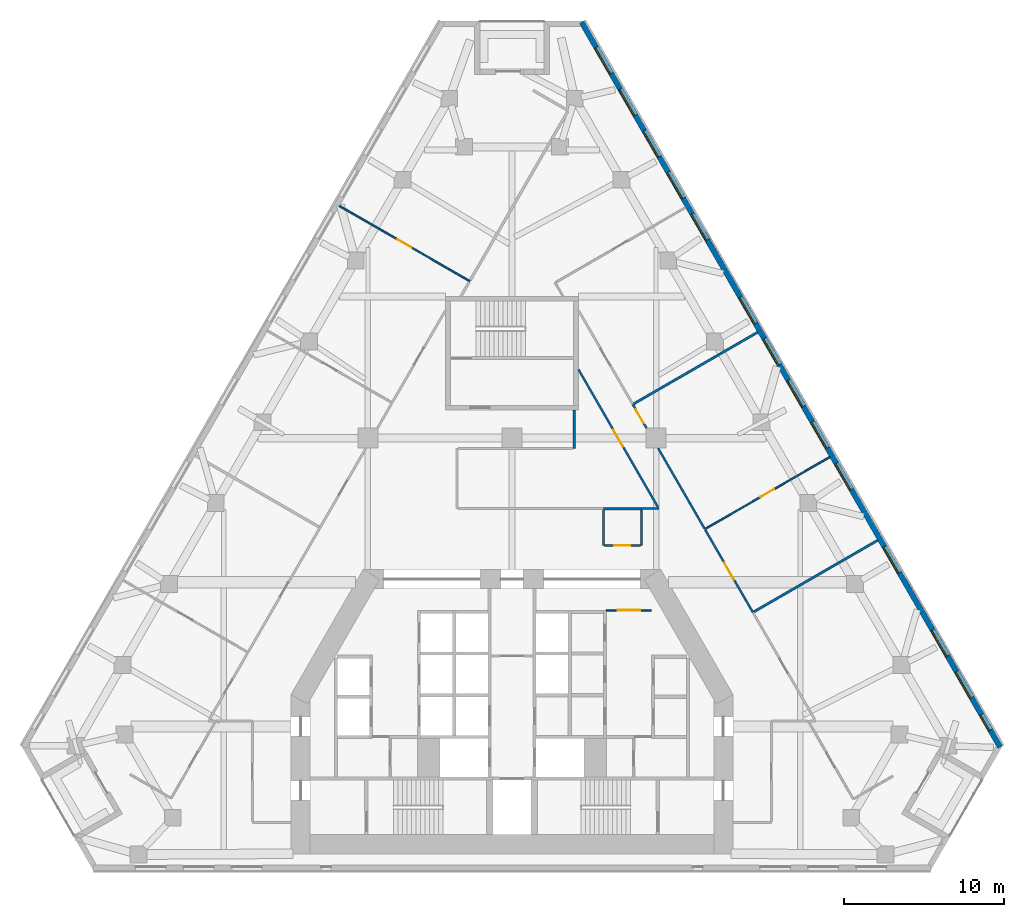
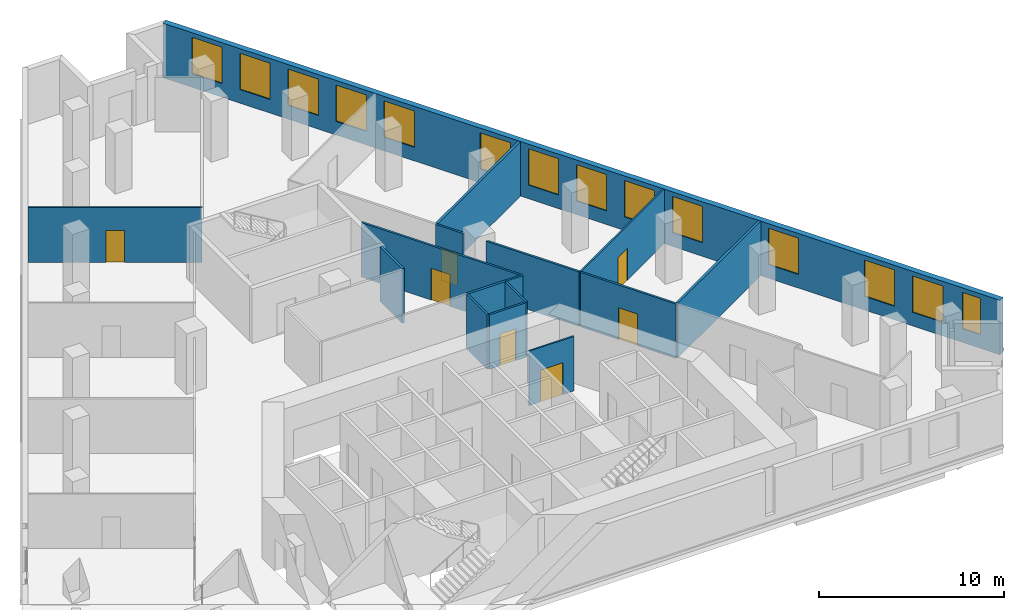
# One storey, part 7 of 9: 16 walls, 14 windows, 7 doors, 21 openings.
"""IFC4 building model written with IfcOpenShell, lengths in metres."""

from ifc_helpers import new_model, si_unit, direction, frame, frame_2d, origin, place, context, subcontext, project, spatial, rectangle, extrude, material, layer, layer_set, type_object, element, fill, save


model = new_model("IFC4")

# Units and contexts
model_context = context("Model", 3, precision=1e-05, world=origin(), true_north=direction((0.0, 1.0)))
body_context = subcontext(model_context, "Body", "Model", "MODEL_VIEW")
ifc_project = project(units=[si_unit("LENGTHUNIT", "METRE"), si_unit("AREAUNIT", "SQUARE_METRE"), si_unit("VOLUMEUNIT", "CUBIC_METRE"), si_unit("PLANEANGLEUNIT", "RADIAN"), si_unit("MASSUNIT", "GRAM", prefix="KILO")], contexts=[model_context])

# Site, building, storey
site_placement = place(None, origin())
site = spatial("IfcSite", under=ifc_project, at=site_placement, CompositionType="ELEMENT")
building_placement = place(site_placement, origin())
building = spatial("IfcBuilding", under=site, at=building_placement, Name="Fogline Exchange Tower", CompositionType="ELEMENT")
storey_placement = place(building_placement, frame((0.0, 0.0, 100.10009765625)))
storey = spatial("IfcBuildingStorey", under=building, at=storey_placement, Name="L21", CompositionType="ELEMENT", Elevation=100.10009765625)

# Wall, opening, door
ifc_material_1 = material(Name="Blockwork partition", Category="masonry")
ifc_layer_1 = layer(ifc_material_1, 0.10009765625)
ifc_layer_set_1 = layer_set([ifc_layer_1], Name="CW10")
wall_type_1 = type_object("IfcWallType", Name="CW10", PredefinedType="PARTITIONING", material=ifc_layer_set_1)
wall_1_placement = place(storey_placement, frame((5.89990234375, 16.25, 0.0), z_axis=(0.0, 0.0, 1.0), x_axis=(1.0, 0.0, 0.0)))
wall_1 = element("IfcWall", 1, at=wall_1_placement, inside=storey, type_object=wall_type_1, Name="Lift lobby partition", PredefinedType="PARTITIONING", context=body_context, shape_type="SweptSolid", body=[
    extrude(rectangle(XDim=2.800048828125, YDim=0.10009765625, at=frame_2d((1.39990234375, 0.0))), origin(), (0.0, 0.0, 1.0), 3.599853515625),
])
opening_1_placement = place(wall_1_placement, frame((0.699951171875, 0.0, 0.0)))
opening_1 = element("IfcOpeningElement", 2, at=opening_1_placement, cuts=wall_1, Name="Opening T06-C012", PredefinedType="OPENING", context=body_context, shape_type="SweptSolid", body=[
    extrude(rectangle(XDim=1.39990234375, YDim=2.10009765625, at=frame_2d((0.699951171875, 1.050048828125))), frame((0.0, 0.06005859375, 0.0), z_axis=(0.0, -1.0, 0.0), x_axis=(1.0, 0.0, 0.0)), (0.0, 0.0, 1.0), 0.1201171875),
])
ifc_material_2 = material(Name="Steel and timber fire door", Category="steel")
door_type_1 = type_object("IfcDoorType", Name="D-LB1", OperationType="DOUBLE_DOOR_SINGLE_SWING", PredefinedType="DOOR", material=ifc_material_2)
door_1_placement = place(opening_1_placement, origin())
door_1 = element("IfcDoor", 3, at=door_1_placement, inside=storey, type_object=door_type_1, Name="Door to lift lobby", OperationType="DOUBLE_DOOR_SINGLE_SWING", OverallHeight=2.10009765625, OverallWidth=1.39990234375, PredefinedType="DOOR", context=body_context, shape_type="SweptSolid", body=[
    extrude(rectangle(XDim=1.39990234375, YDim=2.10009765625, at=frame_2d((0.699951171875, 1.050048828125))), frame((0.0, 0.02490234375, 0.0), z_axis=(0.0, -1.0, 0.0), x_axis=(1.0, 0.0, 0.0)), (0.0, 0.0, 1.0), 0.050048828125),
])
fill(opening_1, door_1)

# Wall, openings, windows
ifc_material_3 = material(Name="Brick masonry", Category="masonry")
ifc_layer_2 = layer(ifc_material_3, 0.340087890625)
ifc_layer_set_2 = layer_set([ifc_layer_2], Name="FW1")
wall_type_2 = type_object("IfcWallType", Name="FW1", PredefinedType="SOLIDWALL", material=ifc_layer_set_2)
wall_2_placement = place(storey_placement, frame((30.49072265625, 7.709228515625, 0.0), z_axis=(0.0, 0.0, 1.0), x_axis=(-0.499998162791, 0.866026464495, 0.0)))
wall_2 = element("IfcWall", 4, at=wall_2_placement, inside=storey, type_object=wall_type_2, Name="Brick wall L21 E", PredefinedType="SOLIDWALL", context=body_context, shape_type="SweptSolid", body=[
    extrude(rectangle(XDim=52.276123046875, YDim=0.340087890625, at=frame_2d((26.13818359375, 0.0))), origin(), (0.0, 0.0, 1.0), 3.599853515625),
])
opening_2_placement = place(wall_2_placement, frame((3.569091796875, 0.0, 0.89990234375)))
opening_2 = element("IfcOpeningElement", 5, at=opening_2_placement, cuts=wall_2, Name="Opening W1", PredefinedType="OPENING", context=body_context, shape_type="SweptSolid", body=[
    extrude(rectangle(XDim=1.885009765625, YDim=2.39990234375, at=frame_2d((0.9423828125, 1.199951171875))), frame((0.0, 0.18017578125, 0.0), z_axis=(0.0, -1.0, 0.0), x_axis=(1.0, 0.0, 0.0)), (0.0, 0.0, 1.0), 0.360107421875),
])
opening_3_placement = place(wall_2_placement, frame((6.569091796875, 0.0, 0.89990234375)))
opening_3 = element("IfcOpeningElement", 6, at=opening_3_placement, cuts=wall_2, Name="Opening W1", PredefinedType="OPENING", context=body_context, shape_type="SweptSolid", body=[
    extrude(rectangle(XDim=1.885009765625, YDim=2.39990234375, at=frame_2d((0.9423828125, 1.199951171875))), frame((0.0, 0.18017578125, 0.0), z_axis=(0.0, -1.0, 0.0), x_axis=(1.0, 0.0, 0.0)), (0.0, 0.0, 1.0), 0.360107421875),
])
opening_4_placement = place(wall_2_placement, frame((12.569091796875, 0.0, 0.89990234375)))
opening_4 = element("IfcOpeningElement", 7, at=opening_4_placement, cuts=wall_2, Name="Opening W1", PredefinedType="OPENING", context=body_context, shape_type="SweptSolid", body=[
    extrude(rectangle(XDim=1.885009765625, YDim=2.39990234375, at=frame_2d((0.9423828125, 1.199951171875))), frame((0.0, 0.18017578125, 0.0), z_axis=(0.0, -1.0, 0.0), x_axis=(1.0, 0.0, 0.0)), (0.0, 0.0, 1.0), 0.360107421875),
])
opening_5_placement = place(wall_2_placement, frame((18.569091796875, 0.0, 0.89990234375)))
opening_5 = element("IfcOpeningElement", 8, at=opening_5_placement, cuts=wall_2, Name="Opening W1", PredefinedType="OPENING", context=body_context, shape_type="SweptSolid", body=[
    extrude(rectangle(XDim=1.885009765625, YDim=2.39990234375, at=frame_2d((0.9423828125, 1.199951171875))), frame((0.0, 0.18017578125, 0.0), z_axis=(0.0, -1.0, 0.0), x_axis=(1.0, 0.0, 0.0)), (0.0, 0.0, 1.0), 0.360107421875),
])
opening_6_placement = place(wall_2_placement, frame((21.569091796875, 0.0, 0.89990234375)))
opening_6 = element("IfcOpeningElement", 9, at=opening_6_placement, cuts=wall_2, Name="Opening W1", PredefinedType="OPENING", context=body_context, shape_type="SweptSolid", body=[
    extrude(rectangle(XDim=1.885009765625, YDim=2.39990234375, at=frame_2d((0.9423828125, 1.199951171875))), frame((0.0, 0.18017578125, 0.0), z_axis=(0.0, -1.0, 0.0), x_axis=(1.0, 0.0, 0.0)), (0.0, 0.0, 1.0), 0.360107421875),
])
opening_7_placement = place(wall_2_placement, frame((24.569091796875, 0.0, 0.89990234375)))
opening_7 = element("IfcOpeningElement", 10, at=opening_7_placement, cuts=wall_2, Name="Opening W1", PredefinedType="OPENING", context=body_context, shape_type="SweptSolid", body=[
    extrude(rectangle(XDim=1.885009765625, YDim=2.39990234375, at=frame_2d((0.9423828125, 1.199951171875))), frame((0.0, 0.18017578125, 0.0), z_axis=(0.0, -1.0, 0.0), x_axis=(1.0, 0.0, 0.0)), (0.0, 0.0, 1.0), 0.360107421875),
])
opening_8_placement = place(wall_2_placement, frame((27.569091796875, 0.0, 0.89990234375)))
opening_8 = element("IfcOpeningElement", 11, at=opening_8_placement, cuts=wall_2, Name="Opening W1", PredefinedType="OPENING", context=body_context, shape_type="SweptSolid", body=[
    extrude(rectangle(XDim=1.885009765625, YDim=2.39990234375, at=frame_2d((0.9423828125, 1.199951171875))), frame((0.0, 0.18017578125, 0.0), z_axis=(0.0, -1.0, 0.0), x_axis=(1.0, 0.0, 0.0)), (0.0, 0.0, 1.0), 0.360107421875),
])
opening_9_placement = place(wall_2_placement, frame((30.569091796875, 0.0, 0.89990234375)))
opening_9 = element("IfcOpeningElement", 12, at=opening_9_placement, cuts=wall_2, Name="Opening W1", PredefinedType="OPENING", context=body_context, shape_type="SweptSolid", body=[
    extrude(rectangle(XDim=1.885009765625, YDim=2.39990234375, at=frame_2d((0.9423828125, 1.199951171875))), frame((0.0, 0.18017578125, 0.0), z_axis=(0.0, -1.0, 0.0), x_axis=(1.0, 0.0, 0.0)), (0.0, 0.0, 1.0), 0.360107421875),
])
opening_10_placement = place(wall_2_placement, frame((36.569091796875, 0.0, 0.89990234375)))
opening_10 = element("IfcOpeningElement", 13, at=opening_10_placement, cuts=wall_2, Name="Opening W1", PredefinedType="OPENING", context=body_context, shape_type="SweptSolid", body=[
    extrude(rectangle(XDim=1.885009765625, YDim=2.39990234375, at=frame_2d((0.9423828125, 1.199951171875))), frame((0.0, 0.18017578125, 0.0), z_axis=(0.0, -1.0, 0.0), x_axis=(1.0, 0.0, 0.0)), (0.0, 0.0, 1.0), 0.360107421875),
])
opening_11_placement = place(wall_2_placement, frame((39.569091796875, 0.0, 0.89990234375)))
opening_11 = element("IfcOpeningElement", 14, at=opening_11_placement, cuts=wall_2, Name="Opening W1", PredefinedType="OPENING", context=body_context, shape_type="SweptSolid", body=[
    extrude(rectangle(XDim=1.885009765625, YDim=2.39990234375, at=frame_2d((0.9423828125, 1.199951171875))), frame((0.0, 0.18017578125, 0.0), z_axis=(0.0, -1.0, 0.0), x_axis=(1.0, 0.0, 0.0)), (0.0, 0.0, 1.0), 0.360107421875),
])
opening_12_placement = place(wall_2_placement, frame((42.569091796875, 0.0, 0.89990234375)))
opening_12 = element("IfcOpeningElement", 15, at=opening_12_placement, cuts=wall_2, Name="Opening W1", PredefinedType="OPENING", context=body_context, shape_type="SweptSolid", body=[
    extrude(rectangle(XDim=1.885009765625, YDim=2.39990234375, at=frame_2d((0.9423828125, 1.199951171875))), frame((0.0, 0.18017578125, 0.0), z_axis=(0.0, -1.0, 0.0), x_axis=(1.0, 0.0, 0.0)), (0.0, 0.0, 1.0), 0.360107421875),
])
opening_13_placement = place(wall_2_placement, frame((45.569091796875, 0.0, 0.89990234375)))
opening_13 = element("IfcOpeningElement", 16, at=opening_13_placement, cuts=wall_2, Name="Opening W1", PredefinedType="OPENING", context=body_context, shape_type="SweptSolid", body=[
    extrude(rectangle(XDim=1.885009765625, YDim=2.39990234375, at=frame_2d((0.9423828125, 1.199951171875))), frame((0.0, 0.18017578125, 0.0), z_axis=(0.0, -1.0, 0.0), x_axis=(1.0, 0.0, 0.0)), (0.0, 0.0, 1.0), 0.360107421875),
])
opening_14_placement = place(wall_2_placement, frame((48.569091796875, 0.0, 0.89990234375)))
opening_14 = element("IfcOpeningElement", 17, at=opening_14_placement, cuts=wall_2, Name="Opening W1", PredefinedType="OPENING", context=body_context, shape_type="SweptSolid", body=[
    extrude(rectangle(XDim=1.885009765625, YDim=2.39990234375, at=frame_2d((0.9423828125, 1.199951171875))), frame((0.0, 0.18017578125, 0.0), z_axis=(0.0, -1.0, 0.0), x_axis=(1.0, 0.0, 0.0)), (0.0, 0.0, 1.0), 0.360107421875),
])
opening_15_placement = place(wall_2_placement, frame((1.22705078125, 0.0, 0.89990234375)))
opening_15 = element("IfcOpeningElement", 18, at=opening_15_placement, cuts=wall_2, Name="Opening W4", PredefinedType="OPENING", context=body_context, shape_type="SweptSolid", body=[
    extrude(rectangle(XDim=1.114990234375, YDim=2.39990234375, at=frame_2d((0.5576171875, 1.199951171875))), frame((0.0, 0.18017578125, 0.0), z_axis=(0.0, -1.0, 0.0), x_axis=(1.0, 0.0, 0.0)), (0.0, 0.0, 1.0), 0.360107421875),
])
ifc_material_4 = material(Name="Aluminium and glass", Category="aluminium")
window_type_1 = type_object("IfcWindowType", Name="W1", PartitioningType="SINGLE_PANEL", PredefinedType="WINDOW", material=ifc_material_4)
window_1_placement = place(opening_2_placement, origin())
window_1 = element("IfcWindow", 19, at=window_1_placement, inside=storey, type_object=window_type_1, Name="W1 W1", OverallHeight=2.39990234375, OverallWidth=1.885009765625, PartitioningType="SINGLE_PANEL", PredefinedType="WINDOW", context=body_context, shape_type="SweptSolid", body=[
    extrude(rectangle(XDim=1.885009765625, YDim=2.39990234375, at=frame_2d((0.9423828125, 1.199951171875))), frame((0.0, 0.110107421875, 0.0), z_axis=(0.0, -1.0, 0.0), x_axis=(1.0, 0.0, 0.0)), (0.0, 0.0, 1.0), 0.06005859375),
])
fill(opening_2, window_1)
window_2_placement = place(opening_3_placement, origin())
window_2 = element("IfcWindow", 20, at=window_2_placement, inside=storey, type_object=window_type_1, Name="W1 W1", OverallHeight=2.39990234375, OverallWidth=1.885009765625, PartitioningType="SINGLE_PANEL", PredefinedType="WINDOW", context=body_context, shape_type="SweptSolid", body=[
    extrude(rectangle(XDim=1.885009765625, YDim=2.39990234375, at=frame_2d((0.9423828125, 1.199951171875))), frame((0.0, 0.110107421875, 0.0), z_axis=(0.0, -1.0, 0.0), x_axis=(1.0, 0.0, 0.0)), (0.0, 0.0, 1.0), 0.06005859375),
])
fill(opening_3, window_2)
window_3_placement = place(opening_4_placement, origin())
window_3 = element("IfcWindow", 21, at=window_3_placement, inside=storey, type_object=window_type_1, Name="W1 W1", OverallHeight=2.39990234375, OverallWidth=1.885009765625, PartitioningType="SINGLE_PANEL", PredefinedType="WINDOW", context=body_context, shape_type="SweptSolid", body=[
    extrude(rectangle(XDim=1.885009765625, YDim=2.39990234375, at=frame_2d((0.9423828125, 1.199951171875))), frame((0.0, 0.110107421875, 0.0), z_axis=(0.0, -1.0, 0.0), x_axis=(1.0, 0.0, 0.0)), (0.0, 0.0, 1.0), 0.06005859375),
])
fill(opening_4, window_3)
window_4_placement = place(opening_5_placement, origin())
window_4 = element("IfcWindow", 22, at=window_4_placement, inside=storey, type_object=window_type_1, Name="W1 W1", OverallHeight=2.39990234375, OverallWidth=1.885009765625, PartitioningType="SINGLE_PANEL", PredefinedType="WINDOW", context=body_context, shape_type="SweptSolid", body=[
    extrude(rectangle(XDim=1.885009765625, YDim=2.39990234375, at=frame_2d((0.9423828125, 1.199951171875))), frame((0.0, 0.110107421875, 0.0), z_axis=(0.0, -1.0, 0.0), x_axis=(1.0, 0.0, 0.0)), (0.0, 0.0, 1.0), 0.06005859375),
])
fill(opening_5, window_4)
window_5_placement = place(opening_6_placement, origin())
window_5 = element("IfcWindow", 23, at=window_5_placement, inside=storey, type_object=window_type_1, Name="W1 W1", OverallHeight=2.39990234375, OverallWidth=1.885009765625, PartitioningType="SINGLE_PANEL", PredefinedType="WINDOW", context=body_context, shape_type="SweptSolid", body=[
    extrude(rectangle(XDim=1.885009765625, YDim=2.39990234375, at=frame_2d((0.9423828125, 1.199951171875))), frame((0.0, 0.110107421875, 0.0), z_axis=(0.0, -1.0, 0.0), x_axis=(1.0, 0.0, 0.0)), (0.0, 0.0, 1.0), 0.06005859375),
])
fill(opening_6, window_5)
window_6_placement = place(opening_7_placement, origin())
window_6 = element("IfcWindow", 24, at=window_6_placement, inside=storey, type_object=window_type_1, Name="W1 W1", OverallHeight=2.39990234375, OverallWidth=1.885009765625, PartitioningType="SINGLE_PANEL", PredefinedType="WINDOW", context=body_context, shape_type="SweptSolid", body=[
    extrude(rectangle(XDim=1.885009765625, YDim=2.39990234375, at=frame_2d((0.9423828125, 1.199951171875))), frame((0.0, 0.110107421875, 0.0), z_axis=(0.0, -1.0, 0.0), x_axis=(1.0, 0.0, 0.0)), (0.0, 0.0, 1.0), 0.06005859375),
])
fill(opening_7, window_6)
window_7_placement = place(opening_8_placement, origin())
window_7 = element("IfcWindow", 25, at=window_7_placement, inside=storey, type_object=window_type_1, Name="W1 W1", OverallHeight=2.39990234375, OverallWidth=1.885009765625, PartitioningType="SINGLE_PANEL", PredefinedType="WINDOW", context=body_context, shape_type="SweptSolid", body=[
    extrude(rectangle(XDim=1.885009765625, YDim=2.39990234375, at=frame_2d((0.9423828125, 1.199951171875))), frame((0.0, 0.110107421875, 0.0), z_axis=(0.0, -1.0, 0.0), x_axis=(1.0, 0.0, 0.0)), (0.0, 0.0, 1.0), 0.06005859375),
])
fill(opening_8, window_7)
window_8_placement = place(opening_9_placement, origin())
window_8 = element("IfcWindow", 26, at=window_8_placement, inside=storey, type_object=window_type_1, Name="W1 W1", OverallHeight=2.39990234375, OverallWidth=1.885009765625, PartitioningType="SINGLE_PANEL", PredefinedType="WINDOW", context=body_context, shape_type="SweptSolid", body=[
    extrude(rectangle(XDim=1.885009765625, YDim=2.39990234375, at=frame_2d((0.9423828125, 1.199951171875))), frame((0.0, 0.110107421875, 0.0), z_axis=(0.0, -1.0, 0.0), x_axis=(1.0, 0.0, 0.0)), (0.0, 0.0, 1.0), 0.06005859375),
])
fill(opening_9, window_8)
window_9_placement = place(opening_10_placement, origin())
window_9 = element("IfcWindow", 27, at=window_9_placement, inside=storey, type_object=window_type_1, Name="W1 W1", OverallHeight=2.39990234375, OverallWidth=1.885009765625, PartitioningType="SINGLE_PANEL", PredefinedType="WINDOW", context=body_context, shape_type="SweptSolid", body=[
    extrude(rectangle(XDim=1.885009765625, YDim=2.39990234375, at=frame_2d((0.9423828125, 1.199951171875))), frame((0.0, 0.110107421875, 0.0), z_axis=(0.0, -1.0, 0.0), x_axis=(1.0, 0.0, 0.0)), (0.0, 0.0, 1.0), 0.06005859375),
])
fill(opening_10, window_9)
window_10_placement = place(opening_11_placement, origin())
window_10 = element("IfcWindow", 28, at=window_10_placement, inside=storey, type_object=window_type_1, Name="W1 W1", OverallHeight=2.39990234375, OverallWidth=1.885009765625, PartitioningType="SINGLE_PANEL", PredefinedType="WINDOW", context=body_context, shape_type="SweptSolid", body=[
    extrude(rectangle(XDim=1.885009765625, YDim=2.39990234375, at=frame_2d((0.9423828125, 1.199951171875))), frame((0.0, 0.110107421875, 0.0), z_axis=(0.0, -1.0, 0.0), x_axis=(1.0, 0.0, 0.0)), (0.0, 0.0, 1.0), 0.06005859375),
])
fill(opening_11, window_10)
window_11_placement = place(opening_12_placement, origin())
window_11 = element("IfcWindow", 29, at=window_11_placement, inside=storey, type_object=window_type_1, Name="W1 W1", OverallHeight=2.39990234375, OverallWidth=1.885009765625, PartitioningType="SINGLE_PANEL", PredefinedType="WINDOW", context=body_context, shape_type="SweptSolid", body=[
    extrude(rectangle(XDim=1.885009765625, YDim=2.39990234375, at=frame_2d((0.9423828125, 1.199951171875))), frame((0.0, 0.110107421875, 0.0), z_axis=(0.0, -1.0, 0.0), x_axis=(1.0, 0.0, 0.0)), (0.0, 0.0, 1.0), 0.06005859375),
])
fill(opening_12, window_11)
window_12_placement = place(opening_13_placement, origin())
window_12 = element("IfcWindow", 30, at=window_12_placement, inside=storey, type_object=window_type_1, Name="W1 W1", OverallHeight=2.39990234375, OverallWidth=1.885009765625, PartitioningType="SINGLE_PANEL", PredefinedType="WINDOW", context=body_context, shape_type="SweptSolid", body=[
    extrude(rectangle(XDim=1.885009765625, YDim=2.39990234375, at=frame_2d((0.9423828125, 1.199951171875))), frame((0.0, 0.110107421875, 0.0), z_axis=(0.0, -1.0, 0.0), x_axis=(1.0, 0.0, 0.0)), (0.0, 0.0, 1.0), 0.06005859375),
])
fill(opening_13, window_12)
window_13_placement = place(opening_14_placement, origin())
window_13 = element("IfcWindow", 31, at=window_13_placement, inside=storey, type_object=window_type_1, Name="W1 W1", OverallHeight=2.39990234375, OverallWidth=1.885009765625, PartitioningType="SINGLE_PANEL", PredefinedType="WINDOW", context=body_context, shape_type="SweptSolid", body=[
    extrude(rectangle(XDim=1.885009765625, YDim=2.39990234375, at=frame_2d((0.9423828125, 1.199951171875))), frame((0.0, 0.110107421875, 0.0), z_axis=(0.0, -1.0, 0.0), x_axis=(1.0, 0.0, 0.0)), (0.0, 0.0, 1.0), 0.06005859375),
])
fill(opening_14, window_13)
window_type_2 = type_object("IfcWindowType", Name="W4", PartitioningType="SINGLE_PANEL", PredefinedType="WINDOW", material=ifc_material_4)
window_14_placement = place(opening_15_placement, origin())
window_14 = element("IfcWindow", 32, at=window_14_placement, inside=storey, type_object=window_type_2, Name="W4 W4", OverallHeight=2.39990234375, OverallWidth=1.114990234375, PartitioningType="SINGLE_PANEL", PredefinedType="WINDOW", context=body_context, shape_type="SweptSolid", body=[
    extrude(rectangle(XDim=1.114990234375, YDim=2.39990234375, at=frame_2d((0.5576171875, 1.199951171875))), frame((0.0, 0.110107421875, 0.0), z_axis=(0.0, -1.0, 0.0), x_axis=(1.0, 0.0, 0.0)), (0.0, 0.0, 1.0), 0.06005859375),
])
fill(opening_15, window_14)

# Wall, opening, door
ifc_material_5 = material(Name="Plasterboard partition, 2 layers each side on steel studs", Category="steel")
ifc_layer_3 = layer(ifc_material_5, 0.10009765625)
ifc_layer_set_3 = layer_set([ifc_layer_3], Name="PW1")
wall_type_3 = type_object("IfcWallType", Name="PW1", PredefinedType="PARTITIONING", material=ifc_layer_set_3)
wall_3_placement = place(storey_placement, frame((12.043701171875, 21.32080078125, 0.0), z_axis=(0.0, 0.0, 1.0), x_axis=(0.866024315419, 0.5000018851, 0.0)))
wall_3 = element("IfcWall", 33, at=wall_3_placement, inside=storey, type_object=wall_type_3, Name="wall-L21-W028", PredefinedType="PARTITIONING", context=body_context, shape_type="SweptSolid", body=[
    extrude(rectangle(XDim=9.0, YDim=0.10009765625, at=frame_2d((4.5, 0.0))), origin(), (0.0, 0.0, 1.0), 3.599853515625),
])
opening_16_placement = place(wall_3_placement, frame((4.0, 0.0, 0.0)))
opening_16 = element("IfcOpeningElement", 34, at=opening_16_placement, cuts=wall_3, Name="Opening T06-D013", PredefinedType="OPENING", context=body_context, shape_type="SweptSolid", body=[
    extrude(rectangle(XDim=1.0, YDim=2.10009765625, at=frame_2d((0.5, 1.050048828125))), frame((0.0, 0.06005859375, 0.0), z_axis=(0.0, -1.0, 0.0), x_axis=(1.0, 0.0, 0.0)), (0.0, 0.0, 1.0), 0.1201171875),
])
ifc_material_6 = material(Name="Timber door leaf with steel frame", Category="steel")
door_type_2 = type_object("IfcDoorType", Name="D1", OperationType="SINGLE_SWING_LEFT", PredefinedType="DOOR", material=ifc_material_6)
door_2_placement = place(opening_16_placement, frame((1.0, 0.0, 0.0), z_axis=(0.0, 0.0, 1.0), x_axis=(-1.0, 0.0, 0.0)))
door_2 = element("IfcDoor", 35, at=door_2_placement, inside=storey, type_object=door_type_2, Name="door-L21-D013", OperationType="SINGLE_SWING_RIGHT", OverallHeight=2.10009765625, OverallWidth=1.0, PredefinedType="DOOR", context=body_context, shape_type="SweptSolid", body=[
    extrude(rectangle(XDim=1.0, YDim=2.10009765625, at=frame_2d((0.5, 1.050048828125))), frame((0.0, 0.02490234375, 0.0), z_axis=(0.0, -1.0, 0.0), x_axis=(1.0, 0.0, 0.0)), (0.0, 0.0, 1.0), 0.050048828125),
])
fill(opening_16, door_2)

wall_4_placement = place(storey_placement, frame((-2.6396484375, 36.808837890625, 0.0), z_axis=(0.0, 0.0, 1.0), x_axis=(-0.866027286158, 0.499996739618, 0.0)))
wall_4 = element("IfcWall", 36, at=wall_4_placement, inside=storey, type_object=wall_type_3, Name="wall-L21-W038", PredefinedType="PARTITIONING", context=body_context, shape_type="SweptSolid", body=[
    extrude(rectangle(XDim=9.39990234375, YDim=0.10009765625, at=frame_2d((4.699951171875, 0.0))), origin(), (0.0, 0.0, 1.0), 3.599853515625),
])
opening_17_placement = place(wall_4_placement, frame((4.199951171875, 0.0, 0.0)))
opening_17 = element("IfcOpeningElement", 37, at=opening_17_placement, cuts=wall_4, Name="Opening T06-D015", PredefinedType="OPENING", context=body_context, shape_type="SweptSolid", body=[
    extrude(rectangle(XDim=1.0, YDim=2.10009765625, at=frame_2d((0.5, 1.050048828125))), frame((0.0, 0.06005859375, 0.0), z_axis=(0.0, -1.0, 0.0), x_axis=(1.0, 0.0, 0.0)), (0.0, 0.0, 1.0), 0.1201171875),
])
door_3_placement = place(opening_17_placement, origin())
door_3 = element("IfcDoor", 38, at=door_3_placement, inside=storey, type_object=door_type_2, Name="door-L21-D015", OperationType="SINGLE_SWING_LEFT", OverallHeight=2.10009765625, OverallWidth=1.0, PredefinedType="DOOR", context=body_context, shape_type="SweptSolid", body=[
    extrude(rectangle(XDim=1.0, YDim=2.10009765625, at=frame_2d((0.5, 1.050048828125))), frame((0.0, 0.02490234375, 0.0), z_axis=(0.0, -1.0, 0.0), x_axis=(1.0, 0.0, 0.0)), (0.0, 0.0, 1.0), 0.050048828125),
])
fill(opening_17, door_3)

# Wall
ifc_material_7 = material(Name="Plasterboard corridor partition with mineral wool, 2 layers each side")
ifc_layer_4 = layer(ifc_material_7, 0.125)
ifc_layer_set_4 = layer_set([ifc_layer_4], Name="PW2")
wall_type_4 = type_object("IfcWallType", Name="PW2", PredefinedType="PARTITIONING", material=ifc_layer_set_4)
wall_5_placement = place(storey_placement, frame((5.699951171875, 22.5244140625, 0.0), z_axis=(0.0, 0.0, 1.0), x_axis=(0.0, -1.0, 0.0)))
element("IfcWall", 39, at=wall_5_placement, inside=storey, type_object=wall_type_4, Name="wall-L21-W003", PredefinedType="PARTITIONING", context=body_context, shape_type="SweptSolid", body=[
    extrude(rectangle(XDim=2.224365234375, YDim=0.125, at=frame_2d((1.1123046875, 0.0))), origin(), (0.0, 0.0, 1.0), 3.599853515625),
])

# Wall, opening, door
wall_6_placement = place(storey_placement, frame((5.762451171875, 20.300048828125, 0.0), z_axis=(0.0, 0.0, 1.0), x_axis=(1.0, 0.0, 0.0)))
wall_6 = element("IfcWall", 40, at=wall_6_placement, inside=storey, type_object=wall_type_4, Name="wall-L21-W004", PredefinedType="PARTITIONING", context=body_context, shape_type="SweptSolid", body=[
    extrude(rectangle(XDim=2.275146484375, YDim=0.125, at=frame_2d((1.1376953125, 0.0))), origin(), (0.0, 0.0, 1.0), 3.599853515625),
])
opening_18_placement = place(wall_6_placement, frame((0.637451171875, 0.0, 0.0)))
opening_18 = element("IfcOpeningElement", 41, at=opening_18_placement, cuts=wall_6, Name="Opening T06-D002", PredefinedType="OPENING", context=body_context, shape_type="SweptSolid", body=[
    extrude(rectangle(XDim=1.0, YDim=2.10009765625, at=frame_2d((0.5, 1.050048828125))), frame((0.0, 0.072509765625, 0.0), z_axis=(0.0, -1.0, 0.0), x_axis=(1.0, 0.0, 0.0)), (0.0, 0.0, 1.0), 0.14501953125),
])
ifc_material_8 = material(Name="Fire-rated timber door leaf with steel frame", Category="steel")
door_type_3 = type_object("IfcDoorType", Name="D3", OperationType="SINGLE_SWING_LEFT", PredefinedType="DOOR", material=ifc_material_8)
door_4_placement = place(opening_18_placement, origin())
door_4 = element("IfcDoor", 42, at=door_4_placement, inside=storey, type_object=door_type_3, Name="door-L21-D002", OperationType="SINGLE_SWING_LEFT", OverallHeight=2.10009765625, OverallWidth=1.0, PredefinedType="DOOR", context=body_context, shape_type="SweptSolid", body=[
    extrude(rectangle(XDim=1.0, YDim=2.10009765625, at=frame_2d((0.5, 1.050048828125))), frame((0.0, 0.02490234375, 0.0), z_axis=(0.0, -1.0, 0.0), x_axis=(1.0, 0.0, 0.0)), (0.0, 0.0, 1.0), 0.050048828125),
])
fill(opening_18, door_4)

# Walls
wall_7_placement = place(storey_placement, frame((8.10009765625, 20.300048828125, 0.0), z_axis=(0.0, 0.0, 1.0), x_axis=(0.0, 1.0, 0.0)))
element("IfcWall", 43, at=wall_7_placement, inside=storey, type_object=wall_type_4, Name="wall-L21-W005", PredefinedType="PARTITIONING", context=body_context, shape_type="SweptSolid", body=[
    extrude(rectangle(XDim=2.224853515625, YDim=0.125, at=frame_2d((1.1123046875, 0.0))), origin(), (0.0, 0.0, 1.0), 3.599853515625),
])
wall_8_placement = place(storey_placement, frame((8.10009765625, 22.60009765625, 0.0), z_axis=(0.0, 0.0, 1.0), x_axis=(1.0, 0.0, 0.0)))
element("IfcWall", 44, at=wall_8_placement, inside=storey, type_object=wall_type_4, Name="wall-L21-W007", PredefinedType="PARTITIONING", context=body_context, shape_type="SweptSolid", body=[
    extrude(rectangle(XDim=1.068603515625, YDim=0.125, at=frame_2d((0.5341796875, 0.0))), origin(), (0.0, 0.0, 1.0), 3.599853515625),
])

# Wall, opening, door
wall_9_placement = place(storey_placement, frame((12.06884765625, 21.277099609375, 0.0), z_axis=(0.0, 0.0, 1.0), x_axis=(0.500000694566, -0.866025002776, 0.0)))
wall_9 = element("IfcWall", 45, at=wall_9_placement, inside=storey, type_object=wall_type_4, Name="wall-L21-W019", PredefinedType="PARTITIONING", context=body_context, shape_type="SweptSolid", body=[
    extrude(rectangle(XDim=5.94970703125, YDim=0.125, at=frame_2d((2.974853515625, 0.0))), origin(), (0.0, 0.0, 1.0), 3.599853515625),
])
opening_19_placement = place(wall_9_placement, frame((2.374755859375, 0.0, 0.0)))
opening_19 = element("IfcOpeningElement", 46, at=opening_19_placement, cuts=wall_9, Name="Opening T06-D008", PredefinedType="OPENING", context=body_context, shape_type="SweptSolid", body=[
    extrude(rectangle(XDim=1.199951171875, YDim=2.10009765625, at=frame_2d((0.60009765625, 1.050048828125))), frame((0.0, 0.072509765625, 0.0), z_axis=(0.0, -1.0, 0.0), x_axis=(1.0, 0.0, 0.0)), (0.0, 0.0, 1.0), 0.14501953125),
])
ifc_material_9 = material(Name="Fire-rated glazed door leaf with steel frame", Category="steel")
door_type_4 = type_object("IfcDoorType", Name="D5", OperationType="SINGLE_SWING_LEFT", PredefinedType="DOOR", material=ifc_material_9)
door_5_placement = place(opening_19_placement, origin())
door_5 = element("IfcDoor", 47, at=door_5_placement, inside=storey, type_object=door_type_4, Name="door-L21-D008", OperationType="SINGLE_SWING_LEFT", OverallHeight=2.10009765625, OverallWidth=1.199951171875, PredefinedType="DOOR", context=body_context, shape_type="SweptSolid", body=[
    extrude(rectangle(XDim=1.199951171875, YDim=2.10009765625, at=frame_2d((0.60009765625, 1.050048828125))), frame((0.0, 0.02490234375, 0.0), z_axis=(0.0, -1.0, 0.0), x_axis=(1.0, 0.0, 0.0)), (0.0, 0.0, 1.0), 0.050048828125),
])
fill(opening_19, door_5)

wall_10_placement = place(storey_placement, frame((7.543701171875, 29.114990234375, 0.0), z_axis=(0.0, 0.0, 1.0), x_axis=(0.499939472521, -0.866060346521, 0.0)))
wall_10 = element("IfcWall", 48, at=wall_10_placement, inside=storey, type_object=wall_type_4, Name="wall-L21-W020", PredefinedType="PARTITIONING", context=body_context, shape_type="SweptSolid", body=[
    extrude(rectangle(XDim=1.720458984375, YDim=0.125, at=frame_2d((0.8603515625, 0.0))), origin(), (0.0, 0.0, 1.0), 3.599853515625),
])
opening_20_placement = place(wall_10_placement, frame((0.360107421875, 0.0, 0.0)))
opening_20 = element("IfcOpeningElement", 49, at=opening_20_placement, cuts=wall_10, Name="Opening T06-D009", PredefinedType="OPENING", context=body_context, shape_type="SweptSolid", body=[
    extrude(rectangle(XDim=1.0, YDim=2.10009765625, at=frame_2d((0.5, 1.050048828125))), frame((0.0, 0.072509765625, 0.0), z_axis=(0.0, -1.0, 0.0), x_axis=(1.0, 0.0, 0.0)), (0.0, 0.0, 1.0), 0.14501953125),
])
door_6_placement = place(opening_20_placement, origin())
door_6 = element("IfcDoor", 50, at=door_6_placement, inside=storey, type_object=door_type_3, Name="door-L21-D009", OperationType="SINGLE_SWING_LEFT", OverallHeight=2.10009765625, OverallWidth=1.0, PredefinedType="DOOR", context=body_context, shape_type="SweptSolid", body=[
    extrude(rectangle(XDim=1.0, YDim=2.10009765625, at=frame_2d((0.5, 1.050048828125))), frame((0.0, 0.02490234375, 0.0), z_axis=(0.0, -1.0, 0.0), x_axis=(1.0, 0.0, 0.0)), (0.0, 0.0, 1.0), 0.050048828125),
])
fill(opening_20, door_6)

# Wall
wall_11_placement = place(storey_placement, frame((9.12548828125, 26.375, 0.0), z_axis=(0.0, 0.0, 1.0), x_axis=(0.500001279396, -0.866024665123, 0.0)))
element("IfcWall", 51, at=wall_11_placement, inside=storey, type_object=wall_type_4, Name="wall-L21-W021", PredefinedType="PARTITIONING", context=body_context, shape_type="SweptSolid", body=[
    extrude(rectangle(XDim=5.78564453125, YDim=0.125, at=frame_2d((2.892822265625, 0.0))), origin(), (0.0, 0.0, 1.0), 3.599853515625),
])

# Wall, opening, door
wall_12_placement = place(storey_placement, frame((9.114501953125, 22.694091796875, 0.0), z_axis=(0.0, 0.0, 1.0), x_axis=(-0.500002695529, 0.866023847515, 0.0)))
wall_12 = element("IfcWall", 52, at=wall_12_placement, inside=storey, type_object=wall_type_4, Name="wall-L21-W023", PredefinedType="PARTITIONING", context=body_context, shape_type="SweptSolid", body=[
    extrude(rectangle(XDim=9.92919921875, YDim=0.125, at=frame_2d((4.964599609375, 0.0))), origin(), (0.0, 0.0, 1.0), 3.599853515625),
])
opening_21_placement = place(wall_12_placement, frame((4.364501953125, 0.0, 0.0)))
opening_21 = element("IfcOpeningElement", 53, at=opening_21_placement, cuts=wall_12, Name="Opening T06-D011", PredefinedType="OPENING", context=body_context, shape_type="SweptSolid", body=[
    extrude(rectangle(XDim=1.199951171875, YDim=2.10009765625, at=frame_2d((0.60009765625, 1.050048828125))), frame((0.0, 0.072509765625, 0.0), z_axis=(0.0, -1.0, 0.0), x_axis=(1.0, 0.0, 0.0)), (0.0, 0.0, 1.0), 0.14501953125),
])
door_7_placement = place(opening_21_placement, origin())
door_7 = element("IfcDoor", 54, at=door_7_placement, inside=storey, type_object=door_type_4, Name="door-L21-D011", OperationType="SINGLE_SWING_RIGHT", OverallHeight=2.10009765625, OverallWidth=1.199951171875, PredefinedType="DOOR", context=body_context, shape_type="SweptSolid", body=[
    extrude(rectangle(XDim=1.199951171875, YDim=2.10009765625, at=frame_2d((0.60009765625, 1.050048828125))), frame((0.0, 0.02490234375, 0.0), z_axis=(0.0, -1.0, 0.0), x_axis=(1.0, 0.0, 0.0)), (0.0, 0.0, 1.0), 0.050048828125),
])
fill(opening_21, door_7)

# Walls
ifc_material_10 = material(Name="Plasterboard demising partition with mineral wool and acoustic board")
ifc_layer_5 = layer(ifc_material_10, 0.14990234375)
ifc_layer_set_5 = layer_set([ifc_layer_5], Name="PW3")
wall_type_5 = type_object("IfcWallType", Name="PW3", PredefinedType="PARTITIONING", material=ifc_layer_set_5)
wall_13_placement = place(storey_placement, frame((22.837890625, 20.62451171875, 0.0), z_axis=(0.0, 0.0, 1.0), x_axis=(-0.866040933244, -0.499973101223, 0.0)))
element("IfcWall", 55, at=wall_13_placement, inside=storey, type_object=wall_type_5, Name="wall-L21-W029", PredefinedType="PARTITIONING", context=body_context, shape_type="SweptSolid", body=[
    extrude(rectangle(XDim=8.9375, YDim=0.14990234375, at=frame_2d((4.46875, 0.0))), origin(), (0.0, 0.0, 1.0), 3.599853515625),
])
wall_14_placement = place(storey_placement, frame((5.699951171875, 22.60009765625, 0.0), z_axis=(0.0, 0.0, 1.0), x_axis=(1.0, 0.0, 0.0)))
element("IfcWall", 56, at=wall_14_placement, inside=storey, type_object=wall_type_5, Name="wall-L21-W030", PredefinedType="PARTITIONING", context=body_context, shape_type="SweptSolid", body=[
    extrude(rectangle(XDim=2.400146484375, YDim=0.14990234375, at=frame_2d((1.2001953125, 0.0))), origin(), (0.0, 0.0, 1.0), 3.599853515625),
])
wall_15_placement = place(storey_placement, frame((7.59765625, 29.146240234375, 0.0), z_axis=(0.0, 0.0, 1.0), x_axis=(0.866029105215, 0.49999358888, 0.0)))
element("IfcWall", 57, at=wall_15_placement, inside=storey, type_object=wall_type_5, Name="wall-L21-W031", PredefinedType="PARTITIONING", context=body_context, shape_type="SweptSolid", body=[
    extrude(rectangle(XDim=8.9375, YDim=0.14990234375, at=frame_2d((4.46875, 0.0))), origin(), (0.0, 0.0, 1.0), 3.599853515625),
])
ifc_material_11 = material(Name="Plasterboard stair lobby partition, 3 layers each side on steel studs", Category="steel")
ifc_layer_6 = layer(ifc_material_11, 0.14990234375)
ifc_layer_set_6 = layer_set([ifc_layer_6], Name="PW4")
wall_type_6 = type_object("IfcWallType", Name="PW4", PredefinedType="PARTITIONING", material=ifc_layer_set_6)
wall_16_placement = place(storey_placement, frame((3.89990234375, 28.757080078125, 0.0), z_axis=(0.0, 0.0, 1.0), x_axis=(0.0, -1.0, 0.0)))
element("IfcWall", 58, at=wall_16_placement, inside=storey, type_object=wall_type_6, Name="wall-L21-W017", PredefinedType="PARTITIONING", context=body_context, shape_type="SweptSolid", body=[
    extrude(rectangle(XDim=2.400146484375, YDim=0.14990234375, at=frame_2d((1.2001953125, 0.0))), origin(), (0.0, 0.0, 1.0), 3.599853515625),
])

save(model, "model.ifc")
